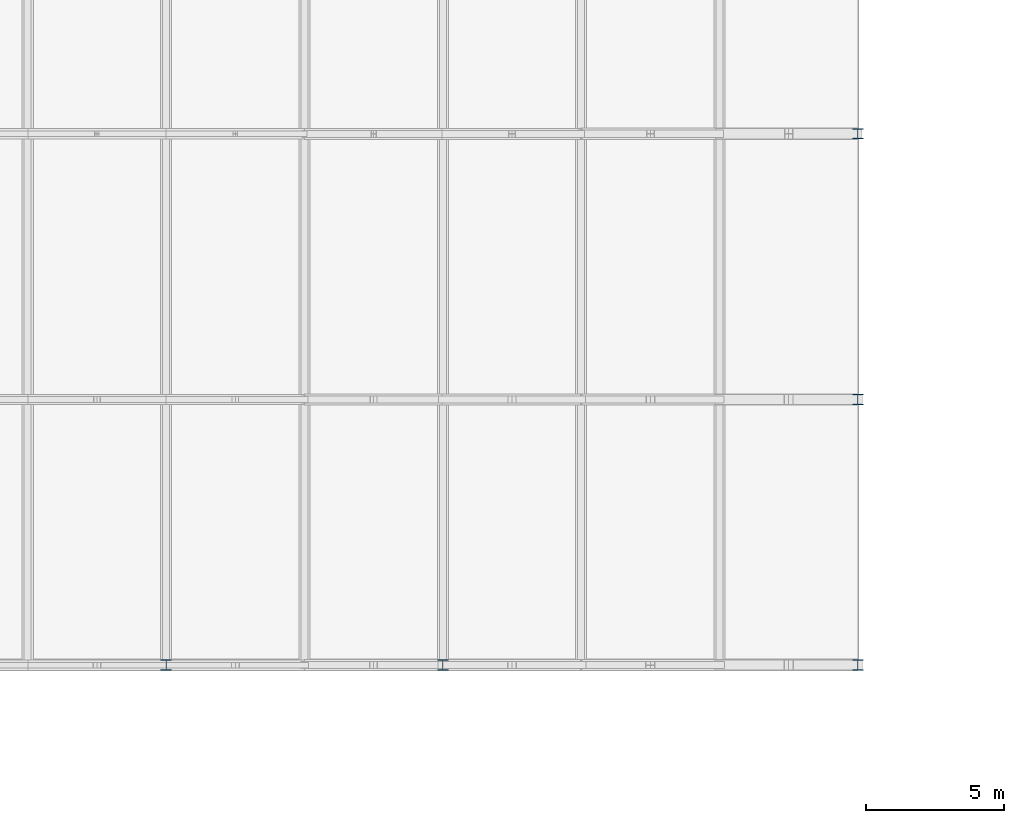
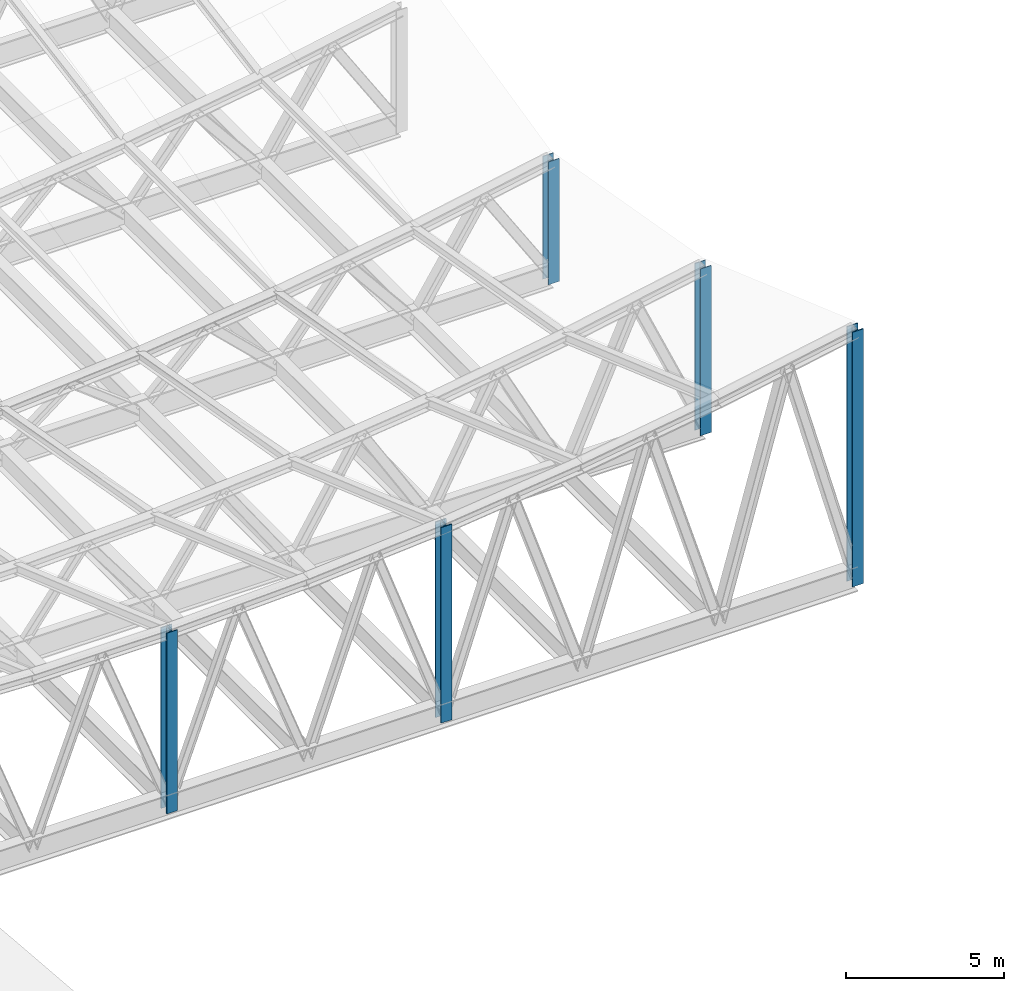
# One storey, part 2 of 40: 5 columns.
"""IFC4 building model written with IfcOpenShell, lengths in metres."""

from ifc_helpers import new_model, si_unit, direction, frame, origin, origin_2d, place, context, subcontext, project, spatial, i_section, extrude, material, material_profile, profile_set, type_object, element, save


model = new_model("IFC4")

# Units and contexts
model_context = context("Model", 3, precision=1e-05, world=origin(), true_north=direction((0.0, 1.0)))
body_context = subcontext(model_context, "Body", "Model", "MODEL_VIEW")
ifc_project = project(units=[si_unit("LENGTHUNIT", "METRE"), si_unit("AREAUNIT", "SQUARE_METRE"), si_unit("VOLUMEUNIT", "CUBIC_METRE"), si_unit("PLANEANGLEUNIT", "RADIAN"), si_unit("MASSUNIT", "GRAM", prefix="KILO")], contexts=[model_context])

# Site, building, storey
site_placement = place(None, origin())
site = spatial("IfcSite", under=ifc_project, at=site_placement, CompositionType="ELEMENT")
building_placement = place(site_placement, origin())
building = spatial("IfcBuilding", under=site, at=building_placement, Name="Veldera Park Congress Hotel", CompositionType="ELEMENT")
storey_placement = place(building_placement, frame((0.0, 0.0, 16.199951171875)))
storey = spatial("IfcBuildingStorey", under=building, at=storey_placement, Name="L03", CompositionType="ELEMENT", Elevation=16.199951171875)

# Columns
ifc_material = material(Name="Steel ASTM A992 Gr.50", Category="steel")
ifc_material_profile_1 = material_profile(ifc_material, i_section(OverallWidth=0.39697265625, OverallDepth=0.386962890625, WebThickness=0.02099609375, FlangeThickness=0.033203125, at=origin_2d()), Name="W14X176")
ifc_profile_set_1 = profile_set([ifc_material_profile_1], Name="Steel ASTM A992 Gr.50")
column_type_1 = type_object("IfcColumnType", Name="COL-STL176", PredefinedType="COLUMN", material=ifc_profile_set_1)
column_1_placement = place(storey_placement, frame((-12.39990234375, -11.39990234375, 0.0), z_axis=(0.0, 0.0, 1.0), x_axis=(1.0, 0.0, 0.0)))
element("IfcColumn", 1, at=column_1_placement, inside=storey, type_object=column_type_1, Name="L03 Column COL-STL176 (-12.4,-11.4)", PredefinedType="COLUMN", context=body_context, shape_type="SweptSolid", body=[
    extrude(i_section(OverallWidth=0.39697265625, OverallDepth=0.386962890625, WebThickness=0.02099609375, FlangeThickness=0.033203125, at=origin_2d()), origin(), (0.0, 0.0, 1.0), 6.4306640625),
])
column_2_placement = place(storey_placement, frame((-12.39990234375, -1.800048828125, 0.0), z_axis=(0.0, 0.0, 1.0), x_axis=(1.0, 0.0, 0.0)))
element("IfcColumn", 2, at=column_2_placement, inside=storey, type_object=column_type_1, Name="L03 Column COL-STL176 (-12.4,-1.8)", PredefinedType="COLUMN", context=body_context, shape_type="SweptSolid", body=[
    extrude(i_section(OverallWidth=0.39697265625, OverallDepth=0.386962890625, WebThickness=0.02099609375, FlangeThickness=0.033203125, at=origin_2d()), origin(), (0.0, 0.0, 1.0), 4.7373046875),
])
ifc_material_profile_2 = material_profile(ifc_material, i_section(OverallWidth=0.39892578125, OverallDepth=0.39306640625, WebThickness=0.022705078125, FlangeThickness=0.03662109375, at=origin_2d()), Name="W14X193")
ifc_profile_set_2 = profile_set([ifc_material_profile_2], Name="Steel ASTM A992 Gr.50")
column_type_2 = type_object("IfcColumnType", Name="COL-STL176E", PredefinedType="COLUMN", material=ifc_profile_set_2)
column_3_placement = place(storey_placement, frame((-12.39990234375, -21.0, 0.0), z_axis=(0.0, 0.0, 1.0), x_axis=(1.0, 0.0, 0.0)))
element("IfcColumn", 3, at=column_3_placement, inside=storey, type_object=column_type_2, Name="L03 Column COL-STL176E (-12.4,-21.0)", PredefinedType="COLUMN", context=body_context, shape_type="SweptSolid", body=[
    extrude(i_section(OverallWidth=0.39892578125, OverallDepth=0.39306640625, WebThickness=0.022705078125, FlangeThickness=0.03662109375, at=origin_2d()), origin(), (0.0, 0.0, 1.0), 9.817626953125),
])
column_4_placement = place(storey_placement, frame((-37.39990234375, -21.0, 0.0), z_axis=(0.0, 0.0, 1.0), x_axis=(1.0, 0.0, 0.0)))
element("IfcColumn", 4, at=column_4_placement, inside=storey, type_object=column_type_2, Name="L03 Column COL-STL176E (-37.4,-21.0)", PredefinedType="COLUMN", context=body_context, shape_type="SweptSolid", body=[
    extrude(i_section(OverallWidth=0.39892578125, OverallDepth=0.39306640625, WebThickness=0.022705078125, FlangeThickness=0.03662109375, at=origin_2d()), origin(), (0.0, 0.0, 1.0), 6.967529296875),
])
column_5_placement = place(storey_placement, frame((-27.39990234375, -21.0, 0.0), z_axis=(0.0, 0.0, 1.0), x_axis=(1.0, 0.0, 0.0)))
element("IfcColumn", 5, at=column_5_placement, inside=storey, type_object=column_type_2, Name="L03 Column COL-STL176E (-27.4,-21.0)", PredefinedType="COLUMN", context=body_context, shape_type="SweptSolid", body=[
    extrude(i_section(OverallWidth=0.39892578125, OverallDepth=0.39306640625, WebThickness=0.022705078125, FlangeThickness=0.03662109375, at=origin_2d()), origin(), (0.0, 0.0, 1.0), 7.541259765625),
])

save(model, "model.ifc")
